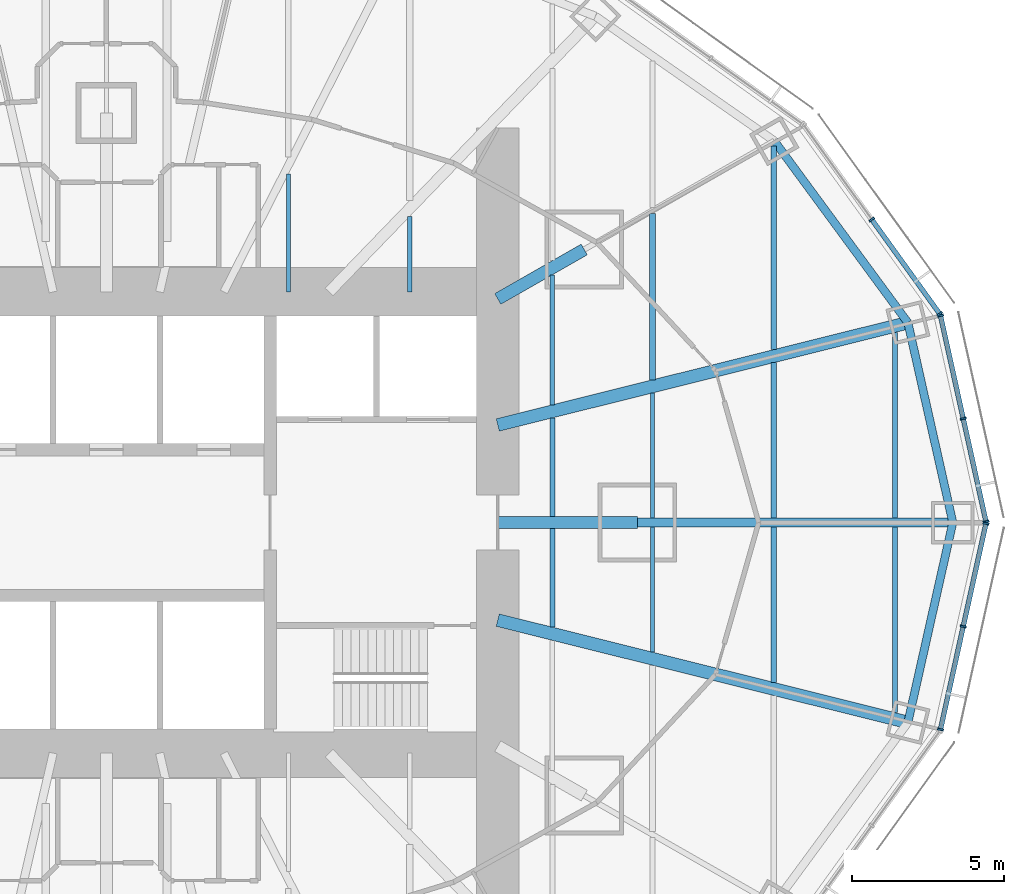
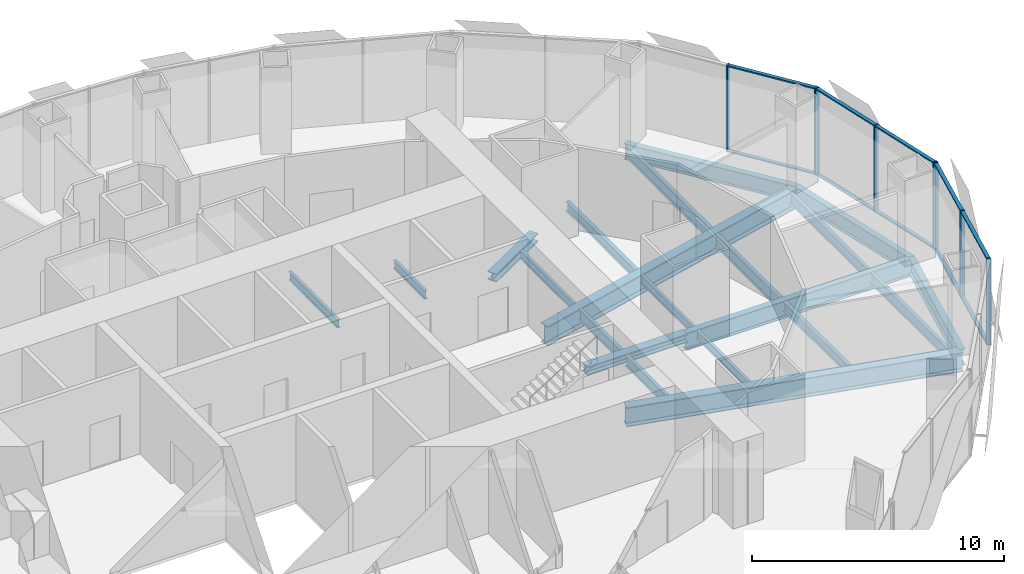
# One storey, part 6 of 17: 21 beams, 18 members, 3 elements without a shape of their own.
"""IFC4 building model written with IfcOpenShell, lengths in metres."""

import ifcopenshell
import ifcopenshell.guid

model = None  # the IFC model being written
_history = None  # IfcOwnerHistory: only IFC2X3 demands one
_inside = {}  # id of a spatial element -> (the spatial element, [elements in it])
_under = {}  # id of a project, library or spatial element -> (it, [spatial elements below it])
_declared = {}  # id of a project -> (the project, [libraries it declares])
_typed = {}  # id of a type object -> (the type object, [elements of that type])
_made_of = {}  # id of a material, layer set ... -> (it, [elements and type objects made of it])


def new_model(schema):
    """Start an empty IFC model of exactly this schema.

    Asked for "IFC4X3", IfcOpenShell would pick the latest addendum, in which some entities
    have other attributes; the version numbers below select the first issue.
    IFC2X3 requires an IfcOwnerHistory on every rooted entity: one is made here for all.
    """
    global model, _history
    if schema == "IFC4X3":
        model = ifcopenshell.file(schema_version=(4, 3, 0, 0))
    else:
        model = ifcopenshell.file(schema=schema)
    _inside.clear()
    _under.clear()
    _declared.clear()
    _typed.clear()
    _made_of.clear()
    _history = None
    if model.schema == "IFC2X3":
        org = make("IfcOrganization", Name="unknown")
        user = make(
            "IfcPersonAndOrganization",
            ThePerson=make("IfcPerson", FamilyName="unknown"),
            TheOrganization=org,
        )
        app = make(
            "IfcApplication",
            ApplicationDeveloper=org,
            Version="unknown",
            ApplicationFullName="unknown",
            ApplicationIdentifier="unknown",
        )
        _history = make(
            "IfcOwnerHistory",
            OwningUser=user,
            OwningApplication=app,
            ChangeAction="ADDED",
            CreationDate=0,
        )
    return model


def make(cls, **values):
    """One entity of the class cls with the attributes given. An attribute that is None is left unset."""
    return model.create_entity(
        cls, **{name: value for name, value in values.items() if value is not None}
    )


def rooted(cls, **values):
    """An entity with a GlobalId (a new one), such as an element, a storey or a relation."""
    return make(cls, GlobalId=ifcopenshell.guid.new(), OwnerHistory=_history, **values)


def si_unit(unit_type, name, prefix=None):
    """IfcSIUnit, for example si_unit("LENGTHUNIT", "METRE", prefix="MILLI")."""
    return make("IfcSIUnit", UnitType=unit_type, Prefix=prefix, Name=name)


def assignment(units):
    """IfcUnitAssignment: the units of a project."""
    return None if units is None else make("IfcUnitAssignment", Units=units)


def point(xyz):
    """IfcCartesianPoint."""
    return None if xyz is None else make("IfcCartesianPoint", Coordinates=xyz)


def direction(xyz):
    """IfcDirection."""
    return None if xyz is None else make("IfcDirection", DirectionRatios=xyz)


def frame(location, z_axis=None, x_axis=None):
    """IfcAxis2Placement3D, a coordinate frame: its origin and axes. An axis left out is left unset."""
    return make(
        "IfcAxis2Placement3D",
        Location=point(location),
        Axis=direction(z_axis),
        RefDirection=direction(x_axis),
    )


def frame_2d(location, x_axis=None):
    """IfcAxis2Placement2D, a coordinate frame in the plane: its origin and x axis."""
    return make(
        "IfcAxis2Placement2D", Location=point(location), RefDirection=direction(x_axis)
    )


def origin():
    """The frame at (0, 0, 0) with its axes left unset."""
    return frame((0.0, 0.0, 0.0))


def origin_2d():
    """The frame at (0, 0) in the plane with its x axis left unset."""
    return frame_2d((0.0, 0.0))


def place(relative_to, where):
    """IfcLocalPlacement: puts the frame where relative to a parent placement (None: the world)."""
    return make(
        "IfcLocalPlacement", PlacementRelTo=relative_to, RelativePlacement=where
    )


def context(
    kind, dimensions, precision=None, world=None, true_north=None, identifier=None
):
    """IfcGeometricRepresentationContext, for example the 3D "Model" context."""
    return make(
        "IfcGeometricRepresentationContext",
        ContextIdentifier=identifier,
        ContextType=kind,
        CoordinateSpaceDimension=dimensions,
        Precision=precision,
        WorldCoordinateSystem=world,
        TrueNorth=true_north,
    )


def subcontext(parent, identifier, kind, view, scale=None):
    """IfcGeometricRepresentationSubContext, for example "Body" below "Model"."""
    return make(
        "IfcGeometricRepresentationSubContext",
        ContextIdentifier=identifier,
        ContextType=kind,
        ParentContext=parent,
        TargetScale=scale,
        TargetView=view,
    )


def project(units=None, contexts=None):
    """IfcProject with its units and contexts."""
    return rooted(
        "IfcProject",
        Name="project",
        RepresentationContexts=contexts,
        UnitsInContext=assignment(units),
    )


def spatial(cls, under=None, at=None, **own):
    """A site, building, storey or space (cls), placed at a placement, below another one or the project."""
    s = rooted(cls, ObjectPlacement=at, **own)
    if under is not None:
        _under.setdefault(under.id(), (under, []))[1].append(s)
    return s


def profile(cls, at=None, kind="AREA", **sizes):
    """A parametric profile (cls). Its sizes go by their IFC names, for example OverallWidth=200.0."""
    return make(cls, ProfileType=kind, Position=at, **sizes)


def rectangle(**sizes):
    """IfcRectangleProfileDef."""
    return profile("IfcRectangleProfileDef", **sizes)


def i_section(**sizes):
    """IfcIShapeProfileDef."""
    return profile("IfcIShapeProfileDef", **sizes)


def extrude(swept, where, along, depth):
    """IfcExtrudedAreaSolid: the profile swept, set in the frame where, extruded along a direction by depth."""
    return make(
        "IfcExtrudedAreaSolid",
        SweptArea=swept,
        Position=where,
        ExtrudedDirection=direction(along),
        Depth=depth,
    )


def shape(context_of_items, identifier, shape_type, items):
    """IfcShapeRepresentation: the items that make up one representation, for example the "Body"."""
    return make(
        "IfcShapeRepresentation",
        ContextOfItems=context_of_items,
        RepresentationIdentifier=identifier,
        RepresentationType=shape_type,
        Items=items,
    )


def material(Name=None, Category=None):
    """IfcMaterial."""
    return make("IfcMaterial", Name=Name, Category=Category)


def material_profile(
    of_material, cross_section, Name=None, Category=None, Priority=None
):
    """IfcMaterialProfile: a cross section and its material."""
    return make(
        "IfcMaterialProfile",
        Name=Name,
        Material=of_material,
        Profile=cross_section,
        Priority=Priority,
        Category=Category,
    )


def profile_set(profiles, Name=None, composite=None):
    """IfcMaterialProfileSet."""
    return make(
        "IfcMaterialProfileSet",
        Name=Name,
        MaterialProfiles=profiles,
        CompositeProfile=composite,
    )


def made_of(thing, what):
    """Note that an element or type object is made of a material, layer set ...; save() writes the relation."""
    if what is not None:
        _made_of.setdefault(what.id(), (what, []))[1].append(thing)
    return thing


def type_object(cls, material=None, **own):
    """A type object (cls), such as IfcWallType, which elements share."""
    return made_of(rooted(cls, **own), material)


def element(
    cls,
    number,
    at=None,
    inside=None,
    cuts=None,
    type_object=None,
    material=None,
    context=None,
    identifier="Body",
    shape_type=None,
    held_by="IfcProductDefinitionShape",
    body=None,
    shapes=None,
    **own,
):
    """One element of the class cls, such as IfcWall. Its Tag is "e" and its number.

    at: its placement. inside: the storey or other place that contains it. cuts: it is an
    opening in that element (IfcRelVoidsElement). A single representation is given by context,
    identifier, shape_type and body (its items); several are given by shapes. held_by: the class
    of the entity that holds the representations. save() writes the other relations.
    """
    e = rooted(cls, Tag="e%d" % number, ObjectPlacement=at, **own)
    if body is not None:
        shapes = [shape(context, identifier, shape_type, body)]
    if shapes is not None:
        e.Representation = make(held_by, Representations=shapes)
    if inside is not None:
        _inside.setdefault(inside.id(), (inside, []))[1].append(e)
    if cuts is not None:
        rooted(
            "IfcRelVoidsElement", RelatingBuildingElement=cuts, RelatedOpeningElement=e
        )
    if type_object is not None:
        _typed.setdefault(type_object.id(), (type_object, []))[1].append(e)
    return made_of(e, material)


def aggregate(whole, parts):
    """IfcRelAggregates: a whole, such as a stair, and the parts it consists of."""
    return rooted("IfcRelAggregates", RelatingObject=whole, RelatedObjects=parts)


def save(model, path):
    """Write the relations noted so far, then the file.

    IfcRelAggregates (storeys below a building ...), IfcRelContainedInSpatialStructure (elements
    in a storey), IfcRelDefinesByType, IfcRelAssociatesMaterial and IfcRelDeclares: one each for
    every whole, place, type object, material and project.
    """
    for whole, parts in _under.values():
        aggregate(whole, parts)
    for where, things in _inside.values():
        rooted(
            "IfcRelContainedInSpatialStructure",
            RelatedElements=things,
            RelatingStructure=where,
        )
    for kind, things in _typed.values():
        rooted("IfcRelDefinesByType", RelatedObjects=things, RelatingType=kind)
    for what, things in _made_of.values():
        rooted("IfcRelAssociatesMaterial", RelatedObjects=things, RelatingMaterial=what)
    for by, libraries in _declared.values():
        rooted("IfcRelDeclares", RelatingContext=by, RelatedDefinitions=libraries)
    model.write(path)


model = new_model("IFC4")

# Units and contexts
model_context = context("Model", 3, precision=1e-05, world=origin(), true_north=direction((0.0, 1.0)))
body_context = subcontext(model_context, "Body", "Model", "MODEL_VIEW")
ifc_project = project(units=[si_unit("LENGTHUNIT", "METRE"), si_unit("AREAUNIT", "SQUARE_METRE"), si_unit("VOLUMEUNIT", "CUBIC_METRE"), si_unit("PLANEANGLEUNIT", "RADIAN"), si_unit("MASSUNIT", "GRAM", prefix="KILO")], contexts=[model_context])

# Site, building, storey
site_placement = place(None, origin())
site = spatial("IfcSite", under=ifc_project, at=site_placement, CompositionType="ELEMENT")
building_placement = place(site_placement, origin())
building = spatial("IfcBuilding", under=site, at=building_placement, Name="Lantaw Convention Tower", CompositionType="ELEMENT")
storey_placement = place(building_placement, frame((0.0, 0.0, 155.199951171875)))
storey = spatial("IfcBuildingStorey", under=building, at=storey_placement, Name="L36", CompositionType="ELEMENT", Elevation=155.199951171875)

# Beams
ifc_material_1 = material(Name="Steel ASTM A992", Category="steel")
ifc_material_profile_1 = material_profile(ifc_material_1, i_section(OverallWidth=0.2666015625, OverallDepth=0.76953125, WebThickness=0.015625, FlangeThickness=0.025390625, FilletRadius=0.0126953125, at=origin_2d()), Name="W30X132")
ifc_profile_set_1 = profile_set([ifc_material_profile_1], Name="Steel ASTM A992")
beam_type_1 = type_object("IfcBeamType", Name="Beam E W30X132", PredefinedType="SPANDREL", material=ifc_profile_set_1)
beam_1_placement = place(storey_placement, frame((27.89990234375, 0.0, -0.53466796875), z_axis=(-0.219211877447, 0.975677279015, 0.0), x_axis=(-0.975677279015, -0.219211877447, 0.0)))
element("IfcBeam", 1, at=beam_1_placement, inside=storey, type_object=beam_type_1, Name="Edge beam 1", PredefinedType="SPANDREL", context=body_context, shape_type="SweptSolid", body=[
    extrude(i_section(OverallWidth=0.2666015625, OverallDepth=0.76953125, WebThickness=0.015625, FlangeThickness=0.025390625, FilletRadius=0.0126953125, at=origin_2d()), origin(), (0.0, 0.0, 1.0), 6.75146484375),
])
beam_2_placement = place(storey_placement, frame((26.419921875, 6.587158203125, -0.53466796875), z_axis=(-0.5923891972, 0.805651934176, 0.0), x_axis=(-0.805651934176, -0.5923891972, 0.0)))
element("IfcBeam", 2, at=beam_2_placement, inside=storey, type_object=beam_type_1, Name="Edge beam 2", PredefinedType="SPANDREL", context=body_context, shape_type="SweptSolid", body=[
    extrude(i_section(OverallWidth=0.2666015625, OverallDepth=0.76953125, WebThickness=0.015625, FlangeThickness=0.025390625, FilletRadius=0.0126953125, at=origin_2d()), origin(), (0.0, 0.0, 1.0), 7.437744140625),
])
beam_3_placement = place(storey_placement, frame((26.419921875, -6.587158203125, -0.53466796875), z_axis=(0.219211877447, 0.975677279015, 0.0), x_axis=(-0.975677279015, 0.219211877447, 0.0)))
element("IfcBeam", 3, at=beam_3_placement, inside=storey, type_object=beam_type_1, Name="Edge beam 24", PredefinedType="SPANDREL", context=body_context, shape_type="SweptSolid", body=[
    extrude(i_section(OverallWidth=0.2666015625, OverallDepth=0.76953125, WebThickness=0.015625, FlangeThickness=0.025390625, FilletRadius=0.0126953125, at=origin_2d()), origin(), (0.0, 0.0, 1.0), 6.75146484375),
])
ifc_material_profile_2 = material_profile(ifc_material_1, i_section(OverallWidth=0.2919921875, OverallDepth=0.845703125, WebThickness=0.015380859375, FlangeThickness=0.0244140625, FilletRadius=0.01513671875, at=origin_2d()), Name="W33X141")
ifc_profile_set_2 = profile_set([ifc_material_profile_2], Name="Steel ASTM A992")
beam_type_2 = type_object("IfcBeamType", Name="Beam G W33X141", PredefinedType="BEAM", material=ifc_profile_set_2)
beam_4_placement = place(storey_placement, frame((17.5, 0.0, -0.57275390625), z_axis=(1.0, 0.0, 0.0), x_axis=(0.0, 1.0, 0.0)))
element("IfcBeam", 4, at=beam_4_placement, inside=storey, type_object=beam_type_2, Name="Floor girder on ray 1", PredefinedType="BEAM", context=body_context, shape_type="SweptSolid", body=[
    extrude(i_section(OverallWidth=0.2919921875, OverallDepth=0.845703125, WebThickness=0.015380859375, FlangeThickness=0.0244140625, FilletRadius=0.01513671875, at=origin_2d()), origin(), (0.0, 0.0, 1.0), 10.39990234375),
])
ifc_material_profile_3 = material_profile(ifc_material_1, i_section(OverallWidth=0.421630859375, OverallDepth=0.937255859375, WebThickness=0.0224609375, FlangeThickness=0.039794921875, FilletRadius=0.02001953125, at=origin_2d()), Name="W36X282")
ifc_profile_set_3 = profile_set([ifc_material_profile_3], Name="Steel ASTM A992")
beam_type_3 = type_object("IfcBeamType", Name="Beam G W36X282", PredefinedType="BEAM", material=ifc_profile_set_3)
for number, where, z_axis, x_axis, name in (
    (5, (12.89990234375, 3.21630859375, -0.61865234375), (0.970296903132, 0.24191717544, 0.0), (-0.24191717544, 0.970296903132, 0.0), "Floor girder on ray 2"),
    (6, (12.89990234375, -3.21630859375, -0.61865234375), (0.970296903132, -0.24191717544, 0.0), (0.24191717544, 0.970296903132, 0.0), "Floor girder on ray 24"),
):
    element("IfcBeam", number, at=place(storey_placement, frame(where, z_axis=z_axis, x_axis=x_axis)), inside=storey, type_object=beam_type_3, Name=name, PredefinedType="BEAM", context=body_context, shape_type="SweptSolid", body=[
        extrude(i_section(OverallWidth=0.421630859375, OverallDepth=0.937255859375, WebThickness=0.0224609375, FlangeThickness=0.039794921875, FilletRadius=0.02001953125, at=origin_2d()), origin(), (0.0, 0.0, 1.0), 13.933837890625),
    ])
ifc_material_profile_4 = material_profile(ifc_material_1, i_section(OverallWidth=0.40380859375, OverallDepth=0.406494140625, WebThickness=0.027099609375, FlangeThickness=0.043701171875, FilletRadius=0.01513671875, at=origin_2d()), Name="W14X233")
ifc_profile_set_4 = profile_set([ifc_material_profile_4], Name="Steel ASTM A992")
beam_type_4 = type_object("IfcBeamType", Name="Beam GM W14X233", PredefinedType="BEAM", material=ifc_profile_set_4)
beam_5_placement = place(storey_placement, frame((12.89990234375, 0.0, -0.353271484375), z_axis=(1.0, 0.0, 0.0), x_axis=(0.0, 1.0, 0.0)))
element("IfcBeam", 7, at=beam_5_placement, inside=storey, type_object=beam_type_4, Name="Core link beam on ray 1", PredefinedType="BEAM", context=body_context, shape_type="SweptSolid", body=[
    extrude(i_section(OverallWidth=0.40380859375, OverallDepth=0.406494140625, WebThickness=0.027099609375, FlangeThickness=0.043701171875, FilletRadius=0.01513671875, at=origin_2d()), origin(), (0.0, 0.0, 1.0), 4.60009765625),
])
beam_6_placement = place(storey_placement, frame((12.89990234375, 7.371337890625, -0.353271484375), z_axis=(0.868238565244, 0.496146947811, 0.0), x_axis=(-0.496146947811, 0.868238565244, 0.0)))
element("IfcBeam", 8, at=beam_6_placement, inside=storey, type_object=beam_type_4, Name="Core link beam on ray 3", PredefinedType="BEAM", context=body_context, shape_type="SweptSolid", body=[
    extrude(i_section(OverallWidth=0.40380859375, OverallDepth=0.406494140625, WebThickness=0.027099609375, FlangeThickness=0.043701171875, FilletRadius=0.01513671875, at=origin_2d()), origin(), (0.0, 0.0, 1.0), 3.28271484375),
])
ifc_material_profile_5 = material_profile(ifc_material_1, i_section(OverallWidth=0.140380859375, OverallDepth=0.40380859375, WebThickness=0.007080078125, FlangeThickness=0.01123046875, FilletRadius=0.01025390625, at=origin_2d()), Name="W16X31")
ifc_profile_set_5 = profile_set([ifc_material_profile_5], Name="Steel ASTM A992")
beam_type_5 = type_object("IfcBeamType", Name="Beam J W16X31", PredefinedType="JOIST", material=ifc_profile_set_5)
beam_7_placement = place(storey_placement, frame((6.0, 7.60009765625, -0.351806640625), z_axis=(0.0, 1.0, 0.0), x_axis=(-1.0, 0.0, 0.0)))
element("IfcBeam", 9, at=beam_7_placement, inside=storey, type_object=beam_type_5, Name="Floor joist", PredefinedType="JOIST", context=body_context, shape_type="SweptSolid", body=[
    extrude(i_section(OverallWidth=0.140380859375, OverallDepth=0.40380859375, WebThickness=0.007080078125, FlangeThickness=0.01123046875, FilletRadius=0.01025390625, at=origin_2d()), origin(), (0.0, 0.0, 1.0), 3.895751953125),
])
beam_8_placement = place(storey_placement, frame((10.0, 7.60009765625, -0.351806640625), z_axis=(0.0, 1.0, 0.0), x_axis=(-1.0, 0.0, 0.0)))
element("IfcBeam", 10, at=beam_8_placement, inside=storey, type_object=beam_type_5, Name="Floor joist", PredefinedType="JOIST", context=body_context, shape_type="SweptSolid", body=[
    extrude(i_section(OverallWidth=0.140380859375, OverallDepth=0.40380859375, WebThickness=0.007080078125, FlangeThickness=0.01123046875, FilletRadius=0.01025390625, at=origin_2d()), origin(), (0.0, 0.0, 1.0), 2.49560546875),
])
beam_9_placement = place(storey_placement, frame((14.699951171875, 3.88232421875, -0.351806640625), z_axis=(0.0, 1.0, 0.0), x_axis=(-1.0, 0.0, 0.0)))
element("IfcBeam", 11, at=beam_9_placement, inside=storey, type_object=beam_type_5, Name="Floor joist", PredefinedType="JOIST", context=body_context, shape_type="SweptSolid", body=[
    extrude(i_section(OverallWidth=0.140380859375, OverallDepth=0.40380859375, WebThickness=0.007080078125, FlangeThickness=0.01123046875, FilletRadius=0.01025390625, at=origin_2d()), origin(), (0.0, 0.0, 1.0), 4.28515625),
])
for number, where, z_axis, x_axis, name in (
    (12, (18.0, -4.270751953125, -0.351806640625), (0.0, 1.0, 0.0), (-1.0, 0.0, 0.0), "Floor joist"),
    (13, (18.0, 0.14599609375, -0.351806640625), (0.0, 1.0, 0.0), (-1.0, 0.0, 0.0), "Floor joist"),
):
    element("IfcBeam", number, at=place(storey_placement, frame(where, z_axis=z_axis, x_axis=x_axis)), inside=storey, type_object=beam_type_5, Name=name, PredefinedType="JOIST", context=body_context, shape_type="SweptSolid", body=[
        extrude(i_section(OverallWidth=0.140380859375, OverallDepth=0.40380859375, WebThickness=0.007080078125, FlangeThickness=0.01123046875, FilletRadius=0.01025390625, at=origin_2d()), origin(), (0.0, 0.0, 1.0), 4.124755859375),
    ])
ifc_material_profile_6 = material_profile(ifc_material_1, i_section(OverallWidth=0.1904296875, OverallDepth=0.457275390625, WebThickness=0.009033203125, FlangeThickness=0.014404296875, FilletRadius=0.01025390625, at=origin_2d()), Name="W18X50")
ifc_profile_set_6 = profile_set([ifc_material_profile_6], Name="Steel ASTM A992")
beam_type_6 = type_object("IfcBeamType", Name="Beam J W18X50", PredefinedType="JOIST", material=ifc_profile_set_6)
beam_10_placement = place(storey_placement, frame((18.0, 4.705078125, -0.378662109375), z_axis=(0.0, 1.0, 0.0), x_axis=(-1.0, 0.0, 0.0)))
element("IfcBeam", 14, at=beam_10_placement, inside=storey, type_object=beam_type_6, Name="Floor joist", PredefinedType="JOIST", context=body_context, shape_type="SweptSolid", body=[
    extrude(i_section(OverallWidth=0.1904296875, OverallDepth=0.457275390625, WebThickness=0.009033203125, FlangeThickness=0.014404296875, FilletRadius=0.01025390625, at=origin_2d()), origin(), (0.0, 0.0, 1.0), 5.47802734375),
])
beam_11_placement = place(storey_placement, frame((22.0, -5.267822265625, -0.378662109375), z_axis=(0.0, 1.0, 0.0), x_axis=(-1.0, 0.0, 0.0)))
element("IfcBeam", 15, at=beam_11_placement, inside=storey, type_object=beam_type_6, Name="Floor joist", PredefinedType="JOIST", context=body_context, shape_type="SweptSolid", body=[
    extrude(i_section(OverallWidth=0.1904296875, OverallDepth=0.457275390625, WebThickness=0.009033203125, FlangeThickness=0.014404296875, FilletRadius=0.01025390625, at=origin_2d()), origin(), (0.0, 0.0, 1.0), 5.121826171875),
])
ifc_material_profile_7 = material_profile(ifc_material_1, i_section(OverallWidth=0.1650390625, OverallDepth=0.52587890625, WebThickness=0.0087890625, FlangeThickness=0.011474609375, FilletRadius=0.0126953125, at=origin_2d()), Name="W21X44")
ifc_profile_set_7 = profile_set([ifc_material_profile_7], Name="Steel ASTM A992")
beam_type_7 = type_object("IfcBeamType", Name="Beam J W21X44", PredefinedType="JOIST", material=ifc_profile_set_7)
for number, where, z_axis, x_axis, name in (
    (16, (26.0, -6.26513671875, -0.412841796875), (0.0, 1.0, 0.0), (-1.0, 0.0, 0.0), "Floor joist"),
    (17, (26.0, 0.14599609375, -0.412841796875), (0.0, 1.0, 0.0), (-1.0, 0.0, 0.0), "Floor joist"),
):
    element("IfcBeam", number, at=place(storey_placement, frame(where, z_axis=z_axis, x_axis=x_axis)), inside=storey, type_object=beam_type_7, Name=name, PredefinedType="JOIST", context=body_context, shape_type="SweptSolid", body=[
        extrude(i_section(OverallWidth=0.1650390625, OverallDepth=0.52587890625, WebThickness=0.0087890625, FlangeThickness=0.011474609375, FilletRadius=0.0126953125, at=origin_2d()), origin(), (0.0, 0.0, 1.0), 6.119140625),
    ])
ifc_material_profile_8 = material_profile(ifc_material_1, i_section(OverallWidth=0.165771484375, OverallDepth=0.5283203125, WebThickness=0.009765625, FlangeThickness=0.013671875, FilletRadius=0.012939453125, at=origin_2d()), Name="W21X50")
ifc_profile_set_8 = profile_set([ifc_material_profile_8], Name="Steel ASTM A992")
beam_type_8 = type_object("IfcBeamType", Name="Beam J W21X50", PredefinedType="JOIST", material=ifc_profile_set_8)
for number, where, z_axis, x_axis, name in (
    (18, (14.699951171875, -3.44775390625, -0.4140625), (0.0, 1.0, 0.0), (-1.0, 0.0, 0.0), "Floor joist"),
    (19, (14.699951171875, 0.201904296875, -0.4140625), (0.0, 1.0, 0.0), (-1.0, 0.0, 0.0), "Floor joist"),
):
    element("IfcBeam", number, at=place(storey_placement, frame(where, z_axis=z_axis, x_axis=x_axis)), inside=storey, type_object=beam_type_8, Name=name, PredefinedType="JOIST", context=body_context, shape_type="SweptSolid", body=[
        extrude(i_section(OverallWidth=0.165771484375, OverallDepth=0.5283203125, WebThickness=0.009765625, FlangeThickness=0.013671875, FilletRadius=0.012939453125, at=origin_2d()), origin(), (0.0, 0.0, 1.0), 3.245849609375),
    ])
ifc_material_profile_9 = material_profile(ifc_material_1, i_section(OverallWidth=0.177978515625, OverallDepth=0.599365234375, WebThickness=0.010009765625, FlangeThickness=0.012939453125, FilletRadius=0.012939453125, at=origin_2d()), Name="W24X55")
ifc_profile_set_9 = profile_set([ifc_material_profile_9], Name="Steel ASTM A992")
beam_type_9 = type_object("IfcBeamType", Name="Beam J W24X55", PredefinedType="JOIST", material=ifc_profile_set_9)
beam_12_placement = place(storey_placement, frame((22.0, 0.14599609375, -0.44970703125), z_axis=(0.0, 1.0, 0.0), x_axis=(-1.0, 0.0, 0.0)))
element("IfcBeam", 20, at=beam_12_placement, inside=storey, type_object=beam_type_9, Name="Floor joist", PredefinedType="JOIST", context=body_context, shape_type="SweptSolid", body=[
    extrude(i_section(OverallWidth=0.177978515625, OverallDepth=0.599365234375, WebThickness=0.010009765625, FlangeThickness=0.012939453125, FilletRadius=0.012939453125, at=origin_2d()), origin(), (0.0, 0.0, 1.0), 5.121826171875),
])
beam_13_placement = place(storey_placement, frame((22.0, 5.702392578125, -0.44970703125), z_axis=(0.0, 1.0, 0.0), x_axis=(-1.0, 0.0, 0.0)))
element("IfcBeam", 21, at=beam_13_placement, inside=storey, type_object=beam_type_9, Name="Floor joist", PredefinedType="JOIST", context=body_context, shape_type="SweptSolid", body=[
    extrude(i_section(OverallWidth=0.177978515625, OverallDepth=0.599365234375, WebThickness=0.010009765625, FlangeThickness=0.012939453125, FilletRadius=0.012939453125, at=origin_2d()), origin(), (0.0, 0.0, 1.0), 6.70654296875),
])

# Curtain wall, members
ifc_material_2 = material(Name="Aluminium framed curtain wall", Category="aluminium")
curtain_wall_type = type_object("IfcCurtainWallType", Name="Office curtain wall low rise, pale aluminium", PredefinedType="USERDEFINED", material=ifc_material_2)
curtain_wall_1_placement = place(storey_placement, origin())
curtain_wall_1 = element("IfcCurtainWall", 22, at=curtain_wall_1_placement, inside=storey, type_object=curtain_wall_type, Name="Office curtain wall low rise, pale aluminium L36", ObjectType="UNITISED CURTAIN WALL", PredefinedType="USERDEFINED")
ifc_material_3 = material(Name="Aluminium 6063-T6", Category="aluminium")
ifc_material_profile_10 = material_profile(ifc_material_3, rectangle(XDim=0.199951171875, YDim=0.06494140625, at=origin_2d()), Name="CW-O1 mullion 65x200")
ifc_profile_set_10 = profile_set([ifc_material_profile_10], Name="Aluminium 6063-T6")
member_type_1 = type_object("IfcMemberType", Name="CW-O1 mullion 65x200", PredefinedType="MULLION", material=ifc_profile_set_10)
member_1_placement = place(storey_placement, frame((28.992919921875, 0.03173828125, -0.14990234375), z_axis=(0.0, 0.0, 1.0), x_axis=(-0.9764936509, -0.215546166174, 0.0)))
member_1 = element("IfcMember", 23, at=member_1_placement, type_object=member_type_1, Name="CW-O1 mullion 1", PredefinedType="MULLION", context=body_context, shape_type="SweptSolid", body=[
    extrude(rectangle(XDim=0.199951171875, YDim=0.06494140625, at=origin_2d()), origin(), (0.0, 0.0, 1.0), 4.199951171875),
])
member_2_placement = place(storey_placement, frame((28.24365234375, 3.4267578125, -0.14990234375), z_axis=(0.0, 0.0, 1.0), x_axis=(-0.9764936509, -0.215546166174, 0.0)))
member_2 = element("IfcMember", 24, at=member_2_placement, type_object=member_type_1, Name="CW-O1 mullion 2", PredefinedType="MULLION", context=body_context, shape_type="SweptSolid", body=[
    extrude(rectangle(XDim=0.199951171875, YDim=0.06494140625, at=origin_2d()), origin(), (0.0, 0.0, 1.0), 4.199951171875),
])
member_3_placement = place(storey_placement, frame((27.494140625, 6.821533203125, -0.14990234375), z_axis=(0.0, 0.0, 1.0), x_axis=(-0.9764936509, -0.215546166174, 0.0)))
member_3 = element("IfcMember", 25, at=member_3_placement, type_object=member_type_1, Name="CW-O1 mullion 3", PredefinedType="MULLION", context=body_context, shape_type="SweptSolid", body=[
    extrude(rectangle(XDim=0.199951171875, YDim=0.06494140625, at=origin_2d()), origin(), (0.0, 0.0, 1.0), 4.199951171875),
])

curtain_wall_2_placement = place(storey_placement, origin())
curtain_wall_2 = element("IfcCurtainWall", 26, at=curtain_wall_2_placement, inside=storey, type_object=curtain_wall_type, Name="Office curtain wall low rise, pale aluminium L36", ObjectType="UNITISED CURTAIN WALL", PredefinedType="USERDEFINED")
member_4_placement = place(storey_placement, frame((27.46826171875, 6.879638671875, -0.14990234375), z_axis=(0.0, 0.0, 1.0), x_axis=(-0.811384633629, -0.584512597221, 0.0)))
member_4 = element("IfcMember", 27, at=member_4_placement, type_object=member_type_1, Name="CW-O1 mullion 1", PredefinedType="MULLION", context=body_context, shape_type="SweptSolid", body=[
    extrude(rectangle(XDim=0.199951171875, YDim=0.06494140625, at=origin_2d()), origin(), (0.0, 0.0, 1.0), 4.199951171875),
])
member_5_placement = place(storey_placement, frame((25.22802734375, 9.9892578125, -0.14990234375), z_axis=(0.0, 0.0, 1.0), x_axis=(-0.811384633629, -0.584512597221, 0.0)))
member_5 = element("IfcMember", 28, at=member_5_placement, type_object=member_type_1, Name="CW-O1 mullion 2", PredefinedType="MULLION", context=body_context, shape_type="SweptSolid", body=[
    extrude(rectangle(XDim=0.199951171875, YDim=0.06494140625, at=origin_2d()), origin(), (0.0, 0.0, 1.0), 4.199951171875),
])

curtain_wall_3_placement = place(storey_placement, origin())
curtain_wall_3 = element("IfcCurtainWall", 29, at=curtain_wall_3_placement, inside=storey, type_object=curtain_wall_type, Name="Office curtain wall low rise, pale aluminium L36", ObjectType="UNITISED CURTAIN WALL", PredefinedType="USERDEFINED")
member_6_placement = place(storey_placement, frame((27.494140625, -6.821533203125, -0.14990234375), z_axis=(0.0, 0.0, 1.0), x_axis=(-0.9764936509, 0.215546166174, 0.0)))
member_6 = element("IfcMember", 30, at=member_6_placement, type_object=member_type_1, Name="CW-O1 mullion 1", PredefinedType="MULLION", context=body_context, shape_type="SweptSolid", body=[
    extrude(rectangle(XDim=0.199951171875, YDim=0.06494140625, at=origin_2d()), origin(), (0.0, 0.0, 1.0), 4.199951171875),
])
member_7_placement = place(storey_placement, frame((28.24365234375, -3.4267578125, -0.14990234375), z_axis=(0.0, 0.0, 1.0), x_axis=(-0.9764936509, 0.215546166174, 0.0)))
member_7 = element("IfcMember", 31, at=member_7_placement, type_object=member_type_1, Name="CW-O1 mullion 2", PredefinedType="MULLION", context=body_context, shape_type="SweptSolid", body=[
    extrude(rectangle(XDim=0.199951171875, YDim=0.06494140625, at=origin_2d()), origin(), (0.0, 0.0, 1.0), 4.199951171875),
])
member_8_placement = place(storey_placement, frame((28.992919921875, -0.03173828125, -0.14990234375), z_axis=(0.0, 0.0, 1.0), x_axis=(-0.9764936509, 0.215546166174, 0.0)))
member_8 = element("IfcMember", 32, at=member_8_placement, type_object=member_type_1, Name="CW-O1 mullion 3", PredefinedType="MULLION", context=body_context, shape_type="SweptSolid", body=[
    extrude(rectangle(XDim=0.199951171875, YDim=0.06494140625, at=origin_2d()), origin(), (0.0, 0.0, 1.0), 4.199951171875),
])

# Member
ifc_material_profile_11 = material_profile(ifc_material_3, rectangle(XDim=0.159912109375, YDim=0.06494140625, at=origin_2d()), Name="CW-O1 transom 65x160")
ifc_profile_set_11 = profile_set([ifc_material_profile_11], Name="Aluminium 6063-T6")
member_type_2 = type_object("IfcMemberType", Name="CW-O1 transom 65x160", PredefinedType="USERDEFINED", material=ifc_profile_set_11)
member_9_placement = place(storey_placement, frame((28.986083984375, 0.0634765625, -0.117431640625), z_axis=(-0.215536096386, 0.976495873598, 0.0), x_axis=(-0.976495873598, -0.215536096386, 0.0)))
member_9 = element("IfcMember", 33, at=member_9_placement, type_object=member_type_2, Name="CW-O1 transom 1.1", ObjectType="TRANSOM", PredefinedType="USERDEFINED", context=body_context, shape_type="SweptSolid", body=[
    extrude(rectangle(XDim=0.159912109375, YDim=0.06494140625, at=origin_2d()), origin(), (0.0, 0.0, 1.0), 3.41162109375),
])

member_10_placement = place(storey_placement, frame((28.986083984375, 0.0634765625, 4.017578125), z_axis=(-0.215536096386, 0.976495873598, 0.0), x_axis=(-0.976495873598, -0.215536096386, 0.0)))
member_10 = element("IfcMember", 34, at=member_10_placement, type_object=member_type_2, Name="CW-O1 transom 1.2", ObjectType="TRANSOM", PredefinedType="USERDEFINED", context=body_context, shape_type="SweptSolid", body=[
    extrude(rectangle(XDim=0.159912109375, YDim=0.06494140625, at=origin_2d()), origin(), (0.0, 0.0, 1.0), 3.41162109375),
])

member_11_placement = place(storey_placement, frame((28.236572265625, 3.45849609375, -0.117431640625), z_axis=(-0.21555115847, 0.976492548913, 0.0), x_axis=(-0.976492548913, -0.21555115847, 0.0)))
member_11 = element("IfcMember", 35, at=member_11_placement, type_object=member_type_2, Name="CW-O1 transom 2.1", ObjectType="TRANSOM", PredefinedType="USERDEFINED", context=body_context, shape_type="SweptSolid", body=[
    extrude(rectangle(XDim=0.159912109375, YDim=0.06494140625, at=origin_2d()), origin(), (0.0, 0.0, 1.0), 3.411376953125),
])

member_12_placement = place(storey_placement, frame((28.236572265625, 3.45849609375, 4.017578125), z_axis=(-0.21555115847, 0.976492548913, 0.0), x_axis=(-0.976492548913, -0.21555115847, 0.0)))
member_12 = element("IfcMember", 36, at=member_12_placement, type_object=member_type_2, Name="CW-O1 transom 2.2", ObjectType="TRANSOM", PredefinedType="USERDEFINED", context=body_context, shape_type="SweptSolid", body=[
    extrude(rectangle(XDim=0.159912109375, YDim=0.06494140625, at=origin_2d()), origin(), (0.0, 0.0, 1.0), 3.411376953125),
])

aggregate(curtain_wall_1, [member_1, member_2, member_3, member_9, member_10, member_11, member_12])

member_13_placement = place(storey_placement, frame((27.44921875, 6.906005859375, -0.117431640625), z_axis=(-0.584512973979, 0.811384362217, 0.0), x_axis=(-0.811384362217, -0.584512973979, 0.0)))
member_13 = element("IfcMember", 37, at=member_13_placement, type_object=member_type_2, Name="CW-O1 transom 1.1", ObjectType="TRANSOM", PredefinedType="USERDEFINED", context=body_context, shape_type="SweptSolid", body=[
    extrude(rectangle(XDim=0.159912109375, YDim=0.06494140625, at=origin_2d()), origin(), (0.0, 0.0, 1.0), 3.767578125),
])

member_14_placement = place(storey_placement, frame((27.44921875, 6.906005859375, 4.017578125), z_axis=(-0.584512973979, 0.811384362217, 0.0), x_axis=(-0.811384362217, -0.584512973979, 0.0)))
member_14 = element("IfcMember", 38, at=member_14_placement, type_object=member_type_2, Name="CW-O1 transom 1.2", ObjectType="TRANSOM", PredefinedType="USERDEFINED", context=body_context, shape_type="SweptSolid", body=[
    extrude(rectangle(XDim=0.159912109375, YDim=0.06494140625, at=origin_2d()), origin(), (0.0, 0.0, 1.0), 3.767578125),
])

aggregate(curtain_wall_2, [member_4, member_5, member_13, member_14])

member_15_placement = place(storey_placement, frame((27.501220703125, -6.789794921875, -0.117431640625), z_axis=(0.21555115847, 0.976492548913, 0.0), x_axis=(-0.976492548913, 0.21555115847, 0.0)))
member_15 = element("IfcMember", 39, at=member_15_placement, type_object=member_type_2, Name="CW-O1 transom 1.1", ObjectType="TRANSOM", PredefinedType="USERDEFINED", context=body_context, shape_type="SweptSolid", body=[
    extrude(rectangle(XDim=0.159912109375, YDim=0.06494140625, at=origin_2d()), origin(), (0.0, 0.0, 1.0), 3.411376953125),
])

member_16_placement = place(storey_placement, frame((27.501220703125, -6.789794921875, 4.017578125), z_axis=(0.21555115847, 0.976492548913, 0.0), x_axis=(-0.976492548913, 0.21555115847, 0.0)))
member_16 = element("IfcMember", 40, at=member_16_placement, type_object=member_type_2, Name="CW-O1 transom 1.2", ObjectType="TRANSOM", PredefinedType="USERDEFINED", context=body_context, shape_type="SweptSolid", body=[
    extrude(rectangle(XDim=0.159912109375, YDim=0.06494140625, at=origin_2d()), origin(), (0.0, 0.0, 1.0), 3.411376953125),
])

member_17_placement = place(storey_placement, frame((28.250732421875, -3.39501953125, -0.117431640625), z_axis=(0.215536096386, 0.976495873598, 0.0), x_axis=(-0.976495873598, 0.215536096386, 0.0)))
member_17 = element("IfcMember", 41, at=member_17_placement, type_object=member_type_2, Name="CW-O1 transom 2.1", ObjectType="TRANSOM", PredefinedType="USERDEFINED", context=body_context, shape_type="SweptSolid", body=[
    extrude(rectangle(XDim=0.159912109375, YDim=0.06494140625, at=origin_2d()), origin(), (0.0, 0.0, 1.0), 3.41162109375),
])

member_18_placement = place(storey_placement, frame((28.250732421875, -3.39501953125, 4.017578125), z_axis=(0.215536096386, 0.976495873598, 0.0), x_axis=(-0.976495873598, 0.215536096386, 0.0)))
member_18 = element("IfcMember", 42, at=member_18_placement, type_object=member_type_2, Name="CW-O1 transom 2.2", ObjectType="TRANSOM", PredefinedType="USERDEFINED", context=body_context, shape_type="SweptSolid", body=[
    extrude(rectangle(XDim=0.159912109375, YDim=0.06494140625, at=origin_2d()), origin(), (0.0, 0.0, 1.0), 3.41162109375),
])

aggregate(curtain_wall_3, [member_6, member_7, member_8, member_15, member_16, member_17, member_18])

save(model, "model.ifc")
